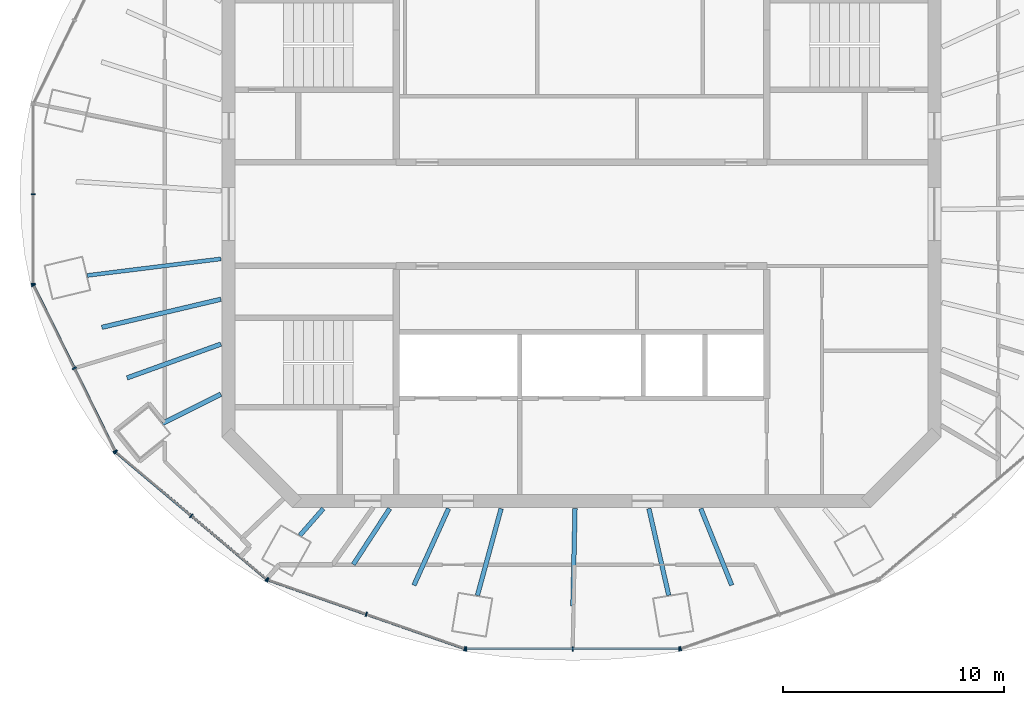
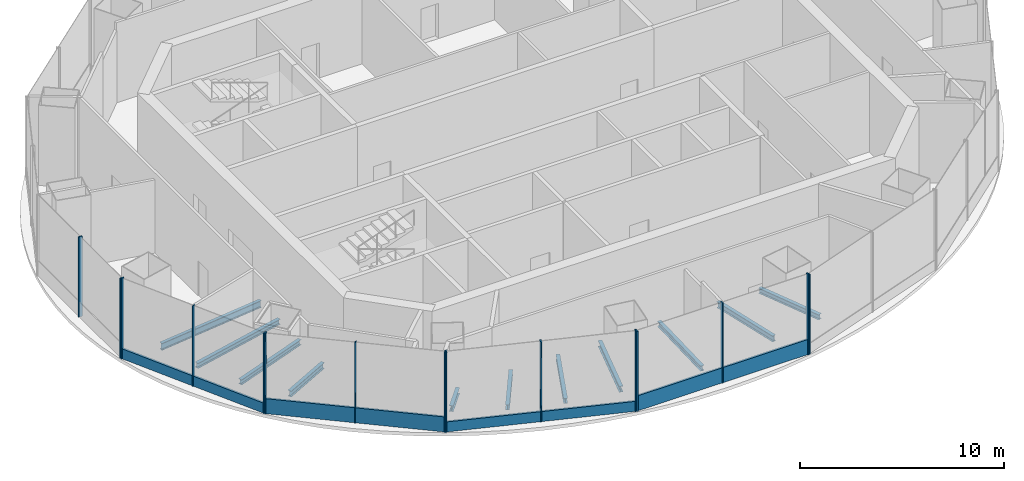
# One storey, part 2 of 12: 19 members, 11 beams, 6 elements without a shape of their own.
"""IFC4 building model written with IfcOpenShell, lengths in metres."""

from ifc_helpers import new_model, si_unit, direction, frame, origin, origin_2d, place, context, subcontext, project, spatial, rectangle, i_section, extrude, material, material_profile, profile_set, type_object, element, aggregate, save


model = new_model("IFC4")

# Units and contexts
model_context = context("Model", 3, precision=1e-05, world=origin(), true_north=direction((0.0, 1.0)))
body_context = subcontext(model_context, "Body", "Model", "MODEL_VIEW")
ifc_project = project(units=[si_unit("LENGTHUNIT", "METRE"), si_unit("AREAUNIT", "SQUARE_METRE"), si_unit("VOLUMEUNIT", "CUBIC_METRE"), si_unit("PLANEANGLEUNIT", "RADIAN"), si_unit("MASSUNIT", "GRAM", prefix="KILO")], contexts=[model_context])

# Site, building, storey
site_placement = place(None, origin())
site = spatial("IfcSite", under=ifc_project, at=site_placement, CompositionType="ELEMENT")
building_placement = place(site_placement, origin())
building = spatial("IfcBuilding", under=site, at=building_placement, Name="Marenthal Gate Tower", CompositionType="ELEMENT")
storey_placement = place(building_placement, frame((0.0, 0.0, 413.550048828125)))
storey = spatial("IfcBuildingStorey", under=building, at=storey_placement, Name="L93", CompositionType="ELEMENT", Elevation=413.550048828125)

# Curtain wall, members
ifc_material_1 = material(Name="Aluminium and glass", Category="aluminium")
curtain_wall_type_1 = type_object("IfcCurtainWallType", Name="Curtain wall crown clad", PredefinedType="NOTDEFINED", material=ifc_material_1)
curtain_wall_1_placement = place(storey_placement, origin())
curtain_wall_1 = element("IfcCurtainWall", 1, at=curtain_wall_1_placement, inside=storey, type_object=curtain_wall_type_1, Name="Curtain wall L93 bay 9", PredefinedType="NOTDEFINED")
ifc_material_2 = material(Name="Aluminium", Category="aluminium")
ifc_material_profile_1 = material_profile(ifc_material_2, rectangle(XDim=0.199951171875, YDim=0.06005859375, at=origin_2d()), Name="60x200 aluminium mullion")
ifc_profile_set_1 = profile_set([ifc_material_profile_1], Name="Aluminium")
member_type_1 = type_object("IfcMemberType", Name="Mullion 60x200 crown clad", PredefinedType="MULLION", material=ifc_profile_set_1)
member_1_placement = place(storey_placement, frame((-24.845458984375, -3.226806640625, 0.0), z_axis=(0.0, 0.0, 1.0), x_axis=(0.897446389763, 0.441123539953, 0.0)))
member_1 = element("IfcMember", 2, at=member_1_placement, type_object=member_type_1, Name="Mullion L93 bay 9.1", PredefinedType="MULLION", context=body_context, shape_type="SweptSolid", body=[
    extrude(rectangle(XDim=0.199951171875, YDim=0.06005859375, at=origin_2d()), origin(), (0.0, 0.0, 1.0), 4.800048828125),
])
member_2_placement = place(storey_placement, frame((-22.9970703125, -6.987548828125, 0.0), z_axis=(0.0, 0.0, 1.0), x_axis=(0.897446389763, 0.441123539953, 0.0)))
member_2 = element("IfcMember", 3, at=member_2_placement, type_object=member_type_1, Name="Mullion L93 bay 9.2", PredefinedType="MULLION", context=body_context, shape_type="SweptSolid", body=[
    extrude(rectangle(XDim=0.199951171875, YDim=0.06005859375, at=origin_2d()), origin(), (0.0, 0.0, 1.0), 4.800048828125),
])
member_3_placement = place(storey_placement, frame((-21.1484375, -10.748291015625, 0.0), z_axis=(0.0, 0.0, 1.0), x_axis=(0.897446389763, 0.441123539953, 0.0)))
member_3 = element("IfcMember", 4, at=member_3_placement, type_object=member_type_1, Name="Mullion L93 bay 9.3", PredefinedType="MULLION", context=body_context, shape_type="SweptSolid", body=[
    extrude(rectangle(XDim=0.199951171875, YDim=0.06005859375, at=origin_2d()), origin(), (0.0, 0.0, 1.0), 4.800048828125),
])

curtain_wall_2_placement = place(storey_placement, origin())
curtain_wall_2 = element("IfcCurtainWall", 5, at=curtain_wall_2_placement, inside=storey, type_object=curtain_wall_type_1, Name="Curtain wall L93 bay 11", PredefinedType="NOTDEFINED")
member_4_placement = place(storey_placement, frame((-14.2265625, -16.583251953125, 0.0), z_axis=(0.0, 0.0, 1.0), x_axis=(0.329558759622, 0.944135066585, 0.0)))
member_4 = element("IfcMember", 6, at=member_4_placement, type_object=member_type_1, Name="Mullion L93 bay 11.1", PredefinedType="MULLION", context=body_context, shape_type="SweptSolid", body=[
    extrude(rectangle(XDim=0.199951171875, YDim=0.06005859375, at=origin_2d()), origin(), (0.0, 0.0, 1.0), 4.800048828125),
])
member_5_placement = place(storey_placement, frame((-9.760009765625, -18.142333984375, 0.0), z_axis=(0.0, 0.0, 1.0), x_axis=(0.329558759622, 0.944135066585, 0.0)))
member_5 = element("IfcMember", 7, at=member_5_placement, type_object=member_type_1, Name="Mullion L93 bay 11.2", PredefinedType="MULLION", context=body_context, shape_type="SweptSolid", body=[
    extrude(rectangle(XDim=0.199951171875, YDim=0.06005859375, at=origin_2d()), origin(), (0.0, 0.0, 1.0), 4.800048828125),
])
member_6_placement = place(storey_placement, frame((-5.29345703125, -19.701416015625, 0.0), z_axis=(0.0, 0.0, 1.0), x_axis=(0.329558759622, 0.944135066585, 0.0)))
member_6 = element("IfcMember", 8, at=member_6_placement, type_object=member_type_1, Name="Mullion L93 bay 11.3", PredefinedType="MULLION", context=body_context, shape_type="SweptSolid", body=[
    extrude(rectangle(XDim=0.199951171875, YDim=0.06005859375, at=origin_2d()), origin(), (0.0, 0.0, 1.0), 4.800048828125),
])

# Curtain wall, member
curtain_wall_3_placement = place(storey_placement, origin())
curtain_wall_3 = element("IfcCurtainWall", 9, at=curtain_wall_3_placement, inside=storey, type_object=curtain_wall_type_1, Name="Curtain wall L93 bay 13", PredefinedType="NOTDEFINED")
member_7_placement = place(storey_placement, frame((4.493408203125, -19.701416015625, 0.0), z_axis=(0.0, 0.0, 1.0), x_axis=(-0.329558759622, 0.944135066585, 0.0)))
member_7 = element("IfcMember", 10, at=member_7_placement, type_object=member_type_1, Name="Mullion L93 bay 13.1", PredefinedType="MULLION", context=body_context, shape_type="SweptSolid", body=[
    extrude(rectangle(XDim=0.199951171875, YDim=0.06005859375, at=origin_2d()), origin(), (0.0, 0.0, 1.0), 4.800048828125),
])
aggregate(curtain_wall_3, [member_7])

# Curtain wall, members
ifc_material_3 = material(Name="Aluminium and glass", Category="aluminium")
curtain_wall_type_2 = type_object("IfcCurtainWallType", Name="Curtain wall typical high", PredefinedType="NOTDEFINED", material=ifc_material_3)
curtain_wall_4_placement = place(storey_placement, origin())
curtain_wall_4 = element("IfcCurtainWall", 11, at=curtain_wall_4_placement, inside=storey, type_object=curtain_wall_type_2, Name="Curtain wall L93 bay 8", PredefinedType="NOTDEFINED")
ifc_material_4 = material(Name="Aluminium", Category="aluminium")
ifc_material_profile_2 = material_profile(ifc_material_4, rectangle(XDim=0.199951171875, YDim=0.06005859375, at=origin_2d()), Name="60x200 aluminium mullion")
ifc_profile_set_2 = profile_set([ifc_material_profile_2], Name="Aluminium")
member_type_2 = type_object("IfcMemberType", Name="Mullion 60x200 typical high", PredefinedType="MULLION", material=ifc_profile_set_2)
member_8_placement = place(storey_placement, frame((-24.85888671875, 0.89990234375, 0.0), z_axis=(0.0, 0.0, 1.0), x_axis=(1.0, 0.0, 0.0)))
member_8 = element("IfcMember", 12, at=member_8_placement, type_object=member_type_2, Name="Mullion L93 bay 8.2", PredefinedType="MULLION", context=body_context, shape_type="SweptSolid", body=[
    extrude(rectangle(XDim=0.199951171875, YDim=0.06005859375, at=origin_2d()), origin(), (0.0, 0.0, 1.0), 4.800048828125),
])
member_9_placement = place(storey_placement, frame((-24.85888671875, -3.169921875, 0.0), z_axis=(0.0, 0.0, 1.0), x_axis=(1.0, 0.0, 0.0)))
member_9 = element("IfcMember", 13, at=member_9_placement, type_object=member_type_2, Name="Mullion L93 bay 8.3", PredefinedType="MULLION", context=body_context, shape_type="SweptSolid", body=[
    extrude(rectangle(XDim=0.199951171875, YDim=0.06005859375, at=origin_2d()), origin(), (0.0, 0.0, 1.0), 4.800048828125),
])
aggregate(curtain_wall_4, [member_8, member_9])

curtain_wall_5_placement = place(storey_placement, origin())
curtain_wall_5 = element("IfcCurtainWall", 14, at=curtain_wall_5_placement, inside=storey, type_object=curtain_wall_type_2, Name="Curtain wall L93 bay 10", PredefinedType="NOTDEFINED")
member_10_placement = place(storey_placement, frame((-21.1123046875, -10.794677734375, 0.0), z_axis=(0.0, 0.0, 1.0), x_axis=(0.644394449075, 0.764693267919, 0.0)))
member_10 = element("IfcMember", 15, at=member_10_placement, type_object=member_type_2, Name="Mullion L93 bay 10.1", PredefinedType="MULLION", context=body_context, shape_type="SweptSolid", body=[
    extrude(rectangle(XDim=0.199951171875, YDim=0.06005859375, at=origin_2d()), origin(), (0.0, 0.0, 1.0), 4.800048828125),
])
member_11_placement = place(storey_placement, frame((-17.695068359375, -13.67431640625, 0.0), z_axis=(0.0, 0.0, 1.0), x_axis=(0.644394449075, 0.764693267919, 0.0)))
member_11 = element("IfcMember", 16, at=member_11_placement, type_object=member_type_2, Name="Mullion L93 bay 10.2", PredefinedType="MULLION", context=body_context, shape_type="SweptSolid", body=[
    extrude(rectangle(XDim=0.199951171875, YDim=0.06005859375, at=origin_2d()), origin(), (0.0, 0.0, 1.0), 4.800048828125),
])
member_12_placement = place(storey_placement, frame((-14.27783203125, -16.553955078125, 0.0), z_axis=(0.0, 0.0, 1.0), x_axis=(0.644394449075, 0.764693267919, 0.0)))
member_12 = element("IfcMember", 17, at=member_12_placement, type_object=member_type_2, Name="Mullion L93 bay 10.3", PredefinedType="MULLION", context=body_context, shape_type="SweptSolid", body=[
    extrude(rectangle(XDim=0.199951171875, YDim=0.06005859375, at=origin_2d()), origin(), (0.0, 0.0, 1.0), 4.800048828125),
])

curtain_wall_6_placement = place(storey_placement, origin())
curtain_wall_6 = element("IfcCurtainWall", 18, at=curtain_wall_6_placement, inside=storey, type_object=curtain_wall_type_2, Name="Curtain wall L93 bay 12", PredefinedType="NOTDEFINED")
member_13_placement = place(storey_placement, frame((-5.235107421875, -19.711181640625, 0.0), z_axis=(0.0, 0.0, 1.0), x_axis=(0.0, 1.0, 0.0)))
member_13 = element("IfcMember", 19, at=member_13_placement, type_object=member_type_2, Name="Mullion L93 bay 12.1", PredefinedType="MULLION", context=body_context, shape_type="SweptSolid", body=[
    extrude(rectangle(XDim=0.199951171875, YDim=0.06005859375, at=origin_2d()), origin(), (0.0, 0.0, 1.0), 4.800048828125),
])
member_14_placement = place(storey_placement, frame((-0.39990234375, -19.711181640625, 0.0), z_axis=(0.0, 0.0, 1.0), x_axis=(0.0, 1.0, 0.0)))
member_14 = element("IfcMember", 20, at=member_14_placement, type_object=member_type_2, Name="Mullion L93 bay 12.2", PredefinedType="MULLION", context=body_context, shape_type="SweptSolid", body=[
    extrude(rectangle(XDim=0.199951171875, YDim=0.06005859375, at=origin_2d()), origin(), (0.0, 0.0, 1.0), 4.800048828125),
])
member_15_placement = place(storey_placement, frame((4.435302734375, -19.711181640625, 0.0), z_axis=(0.0, 0.0, 1.0), x_axis=(0.0, 1.0, 0.0)))
member_15 = element("IfcMember", 21, at=member_15_placement, type_object=member_type_2, Name="Mullion L93 bay 12.3", PredefinedType="MULLION", context=body_context, shape_type="SweptSolid", body=[
    extrude(rectangle(XDim=0.199951171875, YDim=0.06005859375, at=origin_2d()), origin(), (0.0, 0.0, 1.0), 4.800048828125),
])

# Member
ifc_material_5 = material(Name="Aluminium", Category="aluminium")
ifc_material_profile_3 = material_profile(ifc_material_5, rectangle(XDim=0.1201171875, YDim=0.60009765625, at=origin_2d()), Name="120x600 aluminium transom")
ifc_profile_set_3 = profile_set([ifc_material_profile_3], Name="Aluminium")
member_type_3 = type_object("IfcMemberType", Name="Transom 120x600 crown clad", PredefinedType="USERDEFINED", material=ifc_profile_set_3)
member_16_placement = place(storey_placement, frame((-24.832275390625, -3.253662109375, 0.300048828125), z_axis=(0.441124056829, -0.897446135702, 0.0), x_axis=(0.897446135702, 0.441124056829, 0.0)))
member_16 = element("IfcMember", 22, at=member_16_placement, type_object=member_type_3, Name="Transom L93 bay 9", ObjectType="TRANSOM", PredefinedType="USERDEFINED", context=body_context, shape_type="SweptSolid", body=[
    extrude(rectangle(XDim=0.1201171875, YDim=0.60009765625, at=origin_2d()), origin(), (0.0, 0.0, 1.0), 8.321044921875),
])

aggregate(curtain_wall_1, [member_1, member_2, member_3, member_16])

member_17_placement = place(storey_placement, frame((-14.1982421875, -16.593017578125, 0.300048828125), z_axis=(0.944135744817, -0.329556816587, 0.0), x_axis=(0.329556816587, 0.944135744817, 0.0)))
member_17 = element("IfcMember", 23, at=member_17_placement, type_object=member_type_3, Name="Transom L93 bay 11", ObjectType="TRANSOM", PredefinedType="USERDEFINED", context=body_context, shape_type="SweptSolid", body=[
    extrude(rectangle(XDim=0.1201171875, YDim=0.60009765625, at=origin_2d()), origin(), (0.0, 0.0, 1.0), 9.401611328125),
])

aggregate(curtain_wall_2, [member_4, member_5, member_6, member_17])

ifc_material_6 = material(Name="Aluminium", Category="aluminium")
ifc_material_profile_4 = material_profile(ifc_material_6, rectangle(XDim=0.1201171875, YDim=0.89990234375, at=origin_2d()), Name="120x900 aluminium transom")
ifc_profile_set_4 = profile_set([ifc_material_profile_4], Name="Aluminium")
member_type_4 = type_object("IfcMemberType", Name="Transom 120x900 typical high", PredefinedType="USERDEFINED", material=ifc_profile_set_4)
member_18_placement = place(storey_placement, frame((-21.08935546875, -10.81396484375, 0.449951171875), z_axis=(0.764688649653, -0.644399929463, 0.0), x_axis=(0.644399929463, 0.764688649653, 0.0)))
member_18 = element("IfcMember", 24, at=member_18_placement, type_object=member_type_4, Name="Transom L93 bay 10", ObjectType="TRANSOM", PredefinedType="USERDEFINED", context=body_context, shape_type="SweptSolid", body=[
    extrude(rectangle(XDim=0.1201171875, YDim=0.89990234375, at=origin_2d()), origin(), (0.0, 0.0, 1.0), 8.877685546875),
])

aggregate(curtain_wall_5, [member_10, member_11, member_12, member_18])

member_19_placement = place(storey_placement, frame((-5.205078125, -19.711181640625, 0.449951171875), z_axis=(1.0, 0.0, 0.0), x_axis=(0.0, 1.0, 0.0)))
member_19 = element("IfcMember", 25, at=member_19_placement, type_object=member_type_4, Name="Transom L93 bay 12", ObjectType="TRANSOM", PredefinedType="USERDEFINED", context=body_context, shape_type="SweptSolid", body=[
    extrude(rectangle(XDim=0.1201171875, YDim=0.89990234375, at=origin_2d()), origin(), (0.0, 0.0, 1.0), 9.6103515625),
])

aggregate(curtain_wall_6, [member_13, member_14, member_15, member_19])

# Beams
ifc_material_7 = material(Name="Steel S355", Category="steel")
ifc_material_profile_5 = material_profile(ifc_material_7, i_section(OverallWidth=0.205078125, OverallDepth=0.31005859375, WebThickness=0.009521484375, FlangeThickness=0.016357421875, FilletRadius=0.0126953125, at=origin_2d()), Name="W310X74")
ifc_profile_set_5 = profile_set([ifc_material_profile_5], Name="Steel S355")
beam_type_1 = type_object("IfcBeamType", Name="W310X74 beam", PredefinedType="BEAM", material=ifc_profile_set_5)
beam_1_placement = place(storey_placement, frame((-21.746826171875, -5.132568359375, -0.35498046875), z_axis=(0.973261615857, 0.229699427728, 0.0), x_axis=(-0.229699427728, 0.973261615857, 0.0)))
element("IfcBeam", 26, at=beam_1_placement, inside=storey, type_object=beam_type_1, Name="BM-L93-27", PredefinedType="BEAM", context=body_context, shape_type="SweptSolid", body=[
    extrude(i_section(OverallWidth=0.205078125, OverallDepth=0.31005859375, WebThickness=0.009521484375, FlangeThickness=0.016357421875, FilletRadius=0.0126953125, at=origin_2d()), origin(), (0.0, 0.0, 1.0), 5.544921875),
])
beam_2_placement = place(storey_placement, frame((-20.605224609375, -7.42578125, -0.35498046875), z_axis=(0.940757294203, 0.339080688633, 0.0), x_axis=(-0.339080688633, 0.940757294203, 0.0)))
element("IfcBeam", 27, at=beam_2_placement, inside=storey, type_object=beam_type_1, Name="BM-L93-28", PredefinedType="BEAM", context=body_context, shape_type="SweptSolid", body=[
    extrude(i_section(OverallWidth=0.205078125, OverallDepth=0.31005859375, WebThickness=0.009521484375, FlangeThickness=0.016357421875, FilletRadius=0.0126953125, at=origin_2d()), origin(), (0.0, 0.0, 1.0), 4.523193359375),
])
beam_3_placement = place(storey_placement, frame((-10.34521484375, -15.88134765625, -0.35498046875), z_axis=(0.545828900187, 0.837896659333, 0.0), x_axis=(-0.837896659333, 0.545828900187, 0.0)))
element("IfcBeam", 28, at=beam_3_placement, inside=storey, type_object=beam_type_1, Name="BM-L93-29", PredefinedType="BEAM", context=body_context, shape_type="SweptSolid", body=[
    extrude(i_section(OverallWidth=0.205078125, OverallDepth=0.31005859375, WebThickness=0.009521484375, FlangeThickness=0.016357421875, FilletRadius=0.0126953125, at=origin_2d()), origin(), (0.0, 0.0, 1.0), 3.02099609375),
])
beam_4_placement = place(storey_placement, frame((-7.598388671875, -16.828125, -0.35498046875), z_axis=(0.41155072584, 0.911386855326, 0.0), x_axis=(-0.911386855326, 0.41155072584, 0.0)))
element("IfcBeam", 29, at=beam_4_placement, inside=storey, type_object=beam_type_1, Name="BM-L93-30", PredefinedType="BEAM", context=body_context, shape_type="SweptSolid", body=[
    extrude(i_section(OverallWidth=0.205078125, OverallDepth=0.31005859375, WebThickness=0.009521484375, FlangeThickness=0.016357421875, FilletRadius=0.0126953125, at=origin_2d()), origin(), (0.0, 0.0, 1.0), 3.816162109375),
])
beam_5_placement = place(storey_placement, frame((-0.39111328125, -17.76171875, -0.35498046875), z_axis=(0.022020115998, 0.999757527849, 0.0), x_axis=(-0.999757527849, 0.022020115998, 0.0)))
element("IfcBeam", 30, at=beam_5_placement, inside=storey, type_object=beam_type_1, Name="BM-L93-31", PredefinedType="BEAM", context=body_context, shape_type="SweptSolid", body=[
    extrude(i_section(OverallWidth=0.205078125, OverallDepth=0.31005859375, WebThickness=0.009521484375, FlangeThickness=0.016357421875, FilletRadius=0.0126953125, at=origin_2d()), origin(), (0.0, 0.0, 1.0), 4.41259765625),
])
beam_6_placement = place(storey_placement, frame((6.813232421875, -16.822998046875, -0.35498046875), z_axis=(-0.375375370649, 0.926872877535, 0.0), x_axis=(-0.926872877535, -0.375375370649, 0.0)))
element("IfcBeam", 31, at=beam_6_placement, inside=storey, type_object=beam_type_1, Name="BM-L93-32", PredefinedType="BEAM", context=body_context, shape_type="SweptSolid", body=[
    extrude(i_section(OverallWidth=0.205078125, OverallDepth=0.31005859375, WebThickness=0.009521484375, FlangeThickness=0.016357421875, FilletRadius=0.0126953125, at=origin_2d()), origin(), (0.0, 0.0, 1.0), 3.746826171875),
])
ifc_material_8 = material(Name="Steel S355", Category="steel")
ifc_material_profile_6 = material_profile(ifc_material_8, i_section(OverallWidth=0.205078125, OverallDepth=0.35302734375, WebThickness=0.009521484375, FlangeThickness=0.016845703125, FilletRadius=0.014892578125, at=origin_2d()), Name="W360X79")
ifc_profile_set_6 = profile_set([ifc_material_profile_6], Name="Steel S355")
beam_type_2 = type_object("IfcBeamType", Name="W360X79 beam", PredefinedType="BEAM", material=ifc_profile_set_6)
beam_7_placement = place(storey_placement, frame((-18.99755859375, -9.486083984375, -0.37646484375), z_axis=(0.894658078924, 0.446751521336, 0.0), x_axis=(-0.446751521336, 0.894658078924, 0.0)))
element("IfcBeam", 32, at=beam_7_placement, inside=storey, type_object=beam_type_2, Name="BM-L93-10", PredefinedType="BEAM", context=body_context, shape_type="SweptSolid", body=[
    extrude(i_section(OverallWidth=0.205078125, OverallDepth=0.35302734375, WebThickness=0.009521484375, FlangeThickness=0.016845703125, FilletRadius=0.014892578125, at=origin_2d()), origin(), (0.0, 0.0, 1.0), 2.959228515625),
])
beam_8_placement = place(storey_placement, frame((-12.77001953125, -14.5673828125, -0.37646484375), z_axis=(0.659209008694, 0.751959761461, 0.0), x_axis=(-0.751959761461, 0.659209008694, 0.0)))
element("IfcBeam", 33, at=beam_8_placement, inside=storey, type_object=beam_type_2, Name="BM-L93-11", PredefinedType="BEAM", context=body_context, shape_type="SweptSolid", body=[
    extrude(i_section(OverallWidth=0.205078125, OverallDepth=0.35302734375, WebThickness=0.009521484375, FlangeThickness=0.016845703125, FilletRadius=0.014892578125, at=origin_2d()), origin(), (0.0, 0.0, 1.0), 1.618896484375),
])
beam_9_placement = place(storey_placement, frame((-4.71875, -17.288818359375, -0.37646484375), z_axis=(0.263289435098, 0.964716887675, 0.0), x_axis=(-0.964716887675, 0.263289435098, 0.0)))
element("IfcBeam", 34, at=beam_9_placement, inside=storey, type_object=beam_type_2, Name="BM-L93-12", PredefinedType="BEAM", context=body_context, shape_type="SweptSolid", body=[
    extrude(i_section(OverallWidth=0.205078125, OverallDepth=0.35302734375, WebThickness=0.009521484375, FlangeThickness=0.016845703125, FilletRadius=0.014892578125, at=origin_2d()), origin(), (0.0, 0.0, 1.0), 4.082763671875),
])
beam_10_placement = place(storey_placement, frame((3.955810546875, -17.28271484375, -0.37646484375), z_axis=(-0.223122206469, 0.974790480555, 0.0), x_axis=(-0.974790480555, -0.223122206469, 0.0)))
element("IfcBeam", 35, at=beam_10_placement, inside=storey, type_object=beam_type_2, Name="BM-L93-13", PredefinedType="BEAM", context=body_context, shape_type="SweptSolid", body=[
    extrude(i_section(OverallWidth=0.205078125, OverallDepth=0.35302734375, WebThickness=0.009521484375, FlangeThickness=0.016845703125, FilletRadius=0.014892578125, at=origin_2d()), origin(), (0.0, 0.0, 1.0), 4.034423828125),
])
ifc_material_9 = material(Name="Steel S355", Category="steel")
ifc_material_profile_7 = material_profile(ifc_material_9, i_section(OverallWidth=0.180908203125, OverallDepth=0.4169921875, WebThickness=0.010986328125, FlangeThickness=0.018310546875, FilletRadius=0.01025390625, at=origin_2d()), Name="W410X85")
ifc_profile_set_7 = profile_set([ifc_material_profile_7], Name="Steel S355")
beam_type_3 = type_object("IfcBeamType", Name="W410X85 beam", PredefinedType="BEAM", material=ifc_profile_set_7)
beam_11_placement = place(storey_placement, frame((-22.410400390625, -2.780029296875, -0.408447265625), z_axis=(0.992394907958, 0.123094868533, 0.0), x_axis=(-0.123094868533, 0.992394907958, 0.0)))
element("IfcBeam", 36, at=beam_11_placement, inside=storey, type_object=beam_type_3, Name="BM-L93-09", PredefinedType="BEAM", context=body_context, shape_type="SweptSolid", body=[
    extrude(i_section(OverallWidth=0.180908203125, OverallDepth=0.4169921875, WebThickness=0.010986328125, FlangeThickness=0.018310546875, FilletRadius=0.01025390625, at=origin_2d()), origin(), (0.0, 0.0, 1.0), 6.106689453125),
])

save(model, "model.ifc")
